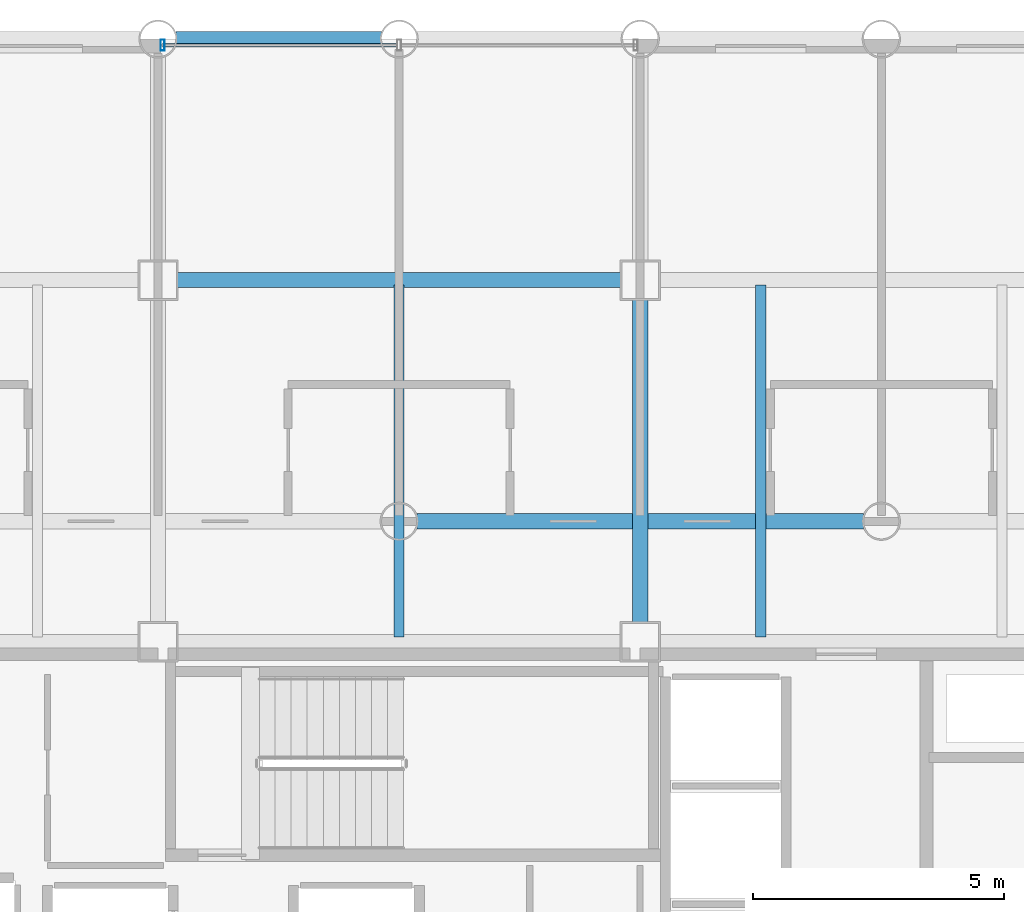
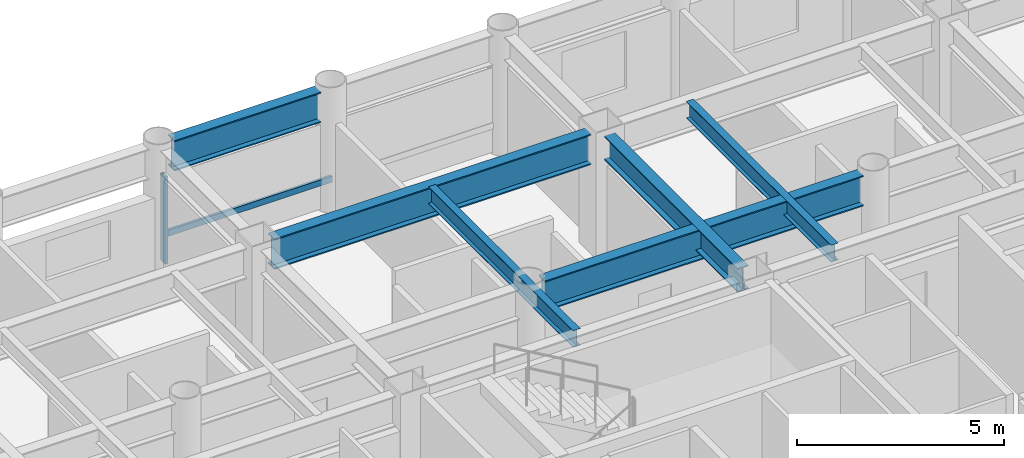
# One storey, part 11 of 22: 6 beams, 2 members, 1 element without a shape of its own.
"""IFC4 building model written with IfcOpenShell, lengths in metres."""

import ifcopenshell
import ifcopenshell.guid

model = None  # the IFC model being written
_history = None  # IfcOwnerHistory: only IFC2X3 demands one
_inside = {}  # id of a spatial element -> (the spatial element, [elements in it])
_under = {}  # id of a project, library or spatial element -> (it, [spatial elements below it])
_declared = {}  # id of a project -> (the project, [libraries it declares])
_typed = {}  # id of a type object -> (the type object, [elements of that type])
_made_of = {}  # id of a material, layer set ... -> (it, [elements and type objects made of it])


def new_model(schema):
    """Start an empty IFC model of exactly this schema.

    Asked for "IFC4X3", IfcOpenShell would pick the latest addendum, in which some entities
    have other attributes; the version numbers below select the first issue.
    IFC2X3 requires an IfcOwnerHistory on every rooted entity: one is made here for all.
    """
    global model, _history
    if schema == "IFC4X3":
        model = ifcopenshell.file(schema_version=(4, 3, 0, 0))
    else:
        model = ifcopenshell.file(schema=schema)
    _inside.clear()
    _under.clear()
    _declared.clear()
    _typed.clear()
    _made_of.clear()
    _history = None
    if model.schema == "IFC2X3":
        org = make("IfcOrganization", Name="unknown")
        user = make(
            "IfcPersonAndOrganization",
            ThePerson=make("IfcPerson", FamilyName="unknown"),
            TheOrganization=org,
        )
        app = make(
            "IfcApplication",
            ApplicationDeveloper=org,
            Version="unknown",
            ApplicationFullName="unknown",
            ApplicationIdentifier="unknown",
        )
        _history = make(
            "IfcOwnerHistory",
            OwningUser=user,
            OwningApplication=app,
            ChangeAction="ADDED",
            CreationDate=0,
        )
    return model


def make(cls, **values):
    """One entity of the class cls with the attributes given. An attribute that is None is left unset."""
    return model.create_entity(
        cls, **{name: value for name, value in values.items() if value is not None}
    )


def rooted(cls, **values):
    """An entity with a GlobalId (a new one), such as an element, a storey or a relation."""
    return make(cls, GlobalId=ifcopenshell.guid.new(), OwnerHistory=_history, **values)


def si_unit(unit_type, name, prefix=None):
    """IfcSIUnit, for example si_unit("LENGTHUNIT", "METRE", prefix="MILLI")."""
    return make("IfcSIUnit", UnitType=unit_type, Prefix=prefix, Name=name)


def assignment(units):
    """IfcUnitAssignment: the units of a project."""
    return None if units is None else make("IfcUnitAssignment", Units=units)


def point(xyz):
    """IfcCartesianPoint."""
    return None if xyz is None else make("IfcCartesianPoint", Coordinates=xyz)


def direction(xyz):
    """IfcDirection."""
    return None if xyz is None else make("IfcDirection", DirectionRatios=xyz)


def frame(location, z_axis=None, x_axis=None):
    """IfcAxis2Placement3D, a coordinate frame: its origin and axes. An axis left out is left unset."""
    return make(
        "IfcAxis2Placement3D",
        Location=point(location),
        Axis=direction(z_axis),
        RefDirection=direction(x_axis),
    )


def frame_2d(location, x_axis=None):
    """IfcAxis2Placement2D, a coordinate frame in the plane: its origin and x axis."""
    return make(
        "IfcAxis2Placement2D", Location=point(location), RefDirection=direction(x_axis)
    )


def origin():
    """The frame at (0, 0, 0) with its axes left unset."""
    return frame((0.0, 0.0, 0.0))


def origin_2d():
    """The frame at (0, 0) in the plane with its x axis left unset."""
    return frame_2d((0.0, 0.0))


def place(relative_to, where):
    """IfcLocalPlacement: puts the frame where relative to a parent placement (None: the world)."""
    return make(
        "IfcLocalPlacement", PlacementRelTo=relative_to, RelativePlacement=where
    )


def context(
    kind, dimensions, precision=None, world=None, true_north=None, identifier=None
):
    """IfcGeometricRepresentationContext, for example the 3D "Model" context."""
    return make(
        "IfcGeometricRepresentationContext",
        ContextIdentifier=identifier,
        ContextType=kind,
        CoordinateSpaceDimension=dimensions,
        Precision=precision,
        WorldCoordinateSystem=world,
        TrueNorth=true_north,
    )


def subcontext(parent, identifier, kind, view, scale=None):
    """IfcGeometricRepresentationSubContext, for example "Body" below "Model"."""
    return make(
        "IfcGeometricRepresentationSubContext",
        ContextIdentifier=identifier,
        ContextType=kind,
        ParentContext=parent,
        TargetScale=scale,
        TargetView=view,
    )


def project(units=None, contexts=None):
    """IfcProject with its units and contexts."""
    return rooted(
        "IfcProject",
        Name="project",
        RepresentationContexts=contexts,
        UnitsInContext=assignment(units),
    )


def spatial(cls, under=None, at=None, **own):
    """A site, building, storey or space (cls), placed at a placement, below another one or the project."""
    s = rooted(cls, ObjectPlacement=at, **own)
    if under is not None:
        _under.setdefault(under.id(), (under, []))[1].append(s)
    return s


def profile(cls, at=None, kind="AREA", **sizes):
    """A parametric profile (cls). Its sizes go by their IFC names, for example OverallWidth=200.0."""
    return make(cls, ProfileType=kind, Position=at, **sizes)


def hollow_rectangle(**sizes):
    """IfcRectangleHollowProfileDef."""
    return profile("IfcRectangleHollowProfileDef", **sizes)


def i_section(**sizes):
    """IfcIShapeProfileDef."""
    return profile("IfcIShapeProfileDef", **sizes)


def extrude(swept, where, along, depth):
    """IfcExtrudedAreaSolid: the profile swept, set in the frame where, extruded along a direction by depth."""
    return make(
        "IfcExtrudedAreaSolid",
        SweptArea=swept,
        Position=where,
        ExtrudedDirection=direction(along),
        Depth=depth,
    )


def shape(context_of_items, identifier, shape_type, items):
    """IfcShapeRepresentation: the items that make up one representation, for example the "Body"."""
    return make(
        "IfcShapeRepresentation",
        ContextOfItems=context_of_items,
        RepresentationIdentifier=identifier,
        RepresentationType=shape_type,
        Items=items,
    )


def material(Name=None, Category=None):
    """IfcMaterial."""
    return make("IfcMaterial", Name=Name, Category=Category)


def layer(
    of_material, thickness, ventilated=None, Name=None, Category=None, Priority=None
):
    """IfcMaterialLayer: one layer of a wall or slab, of a material (None: an air gap)."""
    return make(
        "IfcMaterialLayer",
        Material=of_material,
        LayerThickness=thickness,
        IsVentilated=ventilated,
        Name=Name,
        Category=Category,
        Priority=Priority,
    )


def layer_set(layers, Name=None):
    """IfcMaterialLayerSet."""
    return make("IfcMaterialLayerSet", MaterialLayers=layers, LayerSetName=Name)


def material_profile(
    of_material, cross_section, Name=None, Category=None, Priority=None
):
    """IfcMaterialProfile: a cross section and its material."""
    return make(
        "IfcMaterialProfile",
        Name=Name,
        Material=of_material,
        Profile=cross_section,
        Priority=Priority,
        Category=Category,
    )


def profile_set(profiles, Name=None, composite=None):
    """IfcMaterialProfileSet."""
    return make(
        "IfcMaterialProfileSet",
        Name=Name,
        MaterialProfiles=profiles,
        CompositeProfile=composite,
    )


def made_of(thing, what):
    """Note that an element or type object is made of a material, layer set ...; save() writes the relation."""
    if what is not None:
        _made_of.setdefault(what.id(), (what, []))[1].append(thing)
    return thing


def type_object(cls, material=None, **own):
    """A type object (cls), such as IfcWallType, which elements share."""
    return made_of(rooted(cls, **own), material)


def element(
    cls,
    number,
    at=None,
    inside=None,
    cuts=None,
    type_object=None,
    material=None,
    context=None,
    identifier="Body",
    shape_type=None,
    held_by="IfcProductDefinitionShape",
    body=None,
    shapes=None,
    **own,
):
    """One element of the class cls, such as IfcWall. Its Tag is "e" and its number.

    at: its placement. inside: the storey or other place that contains it. cuts: it is an
    opening in that element (IfcRelVoidsElement). A single representation is given by context,
    identifier, shape_type and body (its items); several are given by shapes. held_by: the class
    of the entity that holds the representations. save() writes the other relations.
    """
    e = rooted(cls, Tag="e%d" % number, ObjectPlacement=at, **own)
    if body is not None:
        shapes = [shape(context, identifier, shape_type, body)]
    if shapes is not None:
        e.Representation = make(held_by, Representations=shapes)
    if inside is not None:
        _inside.setdefault(inside.id(), (inside, []))[1].append(e)
    if cuts is not None:
        rooted(
            "IfcRelVoidsElement", RelatingBuildingElement=cuts, RelatedOpeningElement=e
        )
    if type_object is not None:
        _typed.setdefault(type_object.id(), (type_object, []))[1].append(e)
    return made_of(e, material)


def aggregate(whole, parts):
    """IfcRelAggregates: a whole, such as a stair, and the parts it consists of."""
    return rooted("IfcRelAggregates", RelatingObject=whole, RelatedObjects=parts)


def save(model, path):
    """Write the relations noted so far, then the file.

    IfcRelAggregates (storeys below a building ...), IfcRelContainedInSpatialStructure (elements
    in a storey), IfcRelDefinesByType, IfcRelAssociatesMaterial and IfcRelDeclares: one each for
    every whole, place, type object, material and project.
    """
    for whole, parts in _under.values():
        aggregate(whole, parts)
    for where, things in _inside.values():
        rooted(
            "IfcRelContainedInSpatialStructure",
            RelatedElements=things,
            RelatingStructure=where,
        )
    for kind, things in _typed.values():
        rooted("IfcRelDefinesByType", RelatedObjects=things, RelatingType=kind)
    for what, things in _made_of.values():
        rooted("IfcRelAssociatesMaterial", RelatedObjects=things, RelatingMaterial=what)
    for by, libraries in _declared.values():
        rooted("IfcRelDeclares", RelatingContext=by, RelatedDefinitions=libraries)
    model.write(path)


model = new_model("IFC4")

# Units and contexts
model_context = context("Model", 3, precision=1e-05, world=origin(), true_north=direction((0.0, 1.0)))
body_context = subcontext(model_context, "Body", "Model", "MODEL_VIEW")
ifc_project = project(units=[si_unit("LENGTHUNIT", "METRE"), si_unit("AREAUNIT", "SQUARE_METRE"), si_unit("VOLUMEUNIT", "CUBIC_METRE"), si_unit("PLANEANGLEUNIT", "RADIAN"), si_unit("MASSUNIT", "GRAM", prefix="KILO")], contexts=[model_context])

# Site, building, storey
site_placement = place(None, origin())
site = spatial("IfcSite", under=ifc_project, at=site_placement, CompositionType="ELEMENT")
building_placement = place(site_placement, origin())
building = spatial("IfcBuilding", under=site, at=building_placement, Name="Kallvorn Hotel Tower", CompositionType="ELEMENT")
storey_placement = place(building_placement, frame((0.0, 0.0, 37.39990234375)))
storey = spatial("IfcBuildingStorey", under=building, at=storey_placement, Name="L07", CompositionType="ELEMENT", Elevation=37.39990234375)

# Beams
ifc_material_1 = material(Name="Structural steel S355JR", Category="steel")
ifc_material_profile_1 = material_profile(ifc_material_1, i_section(OverallWidth=0.300048828125, OverallDepth=0.699951171875, WebThickness=0.01708984375, FlangeThickness=0.031982421875, at=origin_2d()), Name="HE 700 B")
ifc_profile_set_1 = profile_set([ifc_material_profile_1], Name="Structural steel S355JR")
beam_type_1 = type_object("IfcBeamType", Name="BM_HE700B", PredefinedType="BEAM", material=ifc_profile_set_1)
beam_1_placement = place(storey_placement, frame((4.800048828125, 7.574951171875, 3.170166015625), z_axis=(0.0, 1.0, 0.0), x_axis=(-1.0, 0.0, 0.0)))
element("IfcBeam", 1, at=beam_1_placement, inside=storey, type_object=beam_type_1, Name="L08 Primary Y-Girder 117", PredefinedType="BEAM", context=body_context, shape_type="SweptSolid", body=[
    extrude(i_section(OverallWidth=0.300048828125, OverallDepth=0.699951171875, WebThickness=0.01708984375, FlangeThickness=0.031982421875, at=origin_2d()), origin(), (0.0, 0.0, 1.0), 6.449951171875),
])
ifc_material_2 = material(Name="Structural steel S355JR", Category="steel")
ifc_material_profile_2 = material_profile(ifc_material_2, i_section(OverallWidth=0.300048828125, OverallDepth=0.89990234375, WebThickness=0.0185546875, FlangeThickness=0.034912109375, at=origin_2d()), Name="HE 900 B")
ifc_profile_set_2 = profile_set([ifc_material_profile_2], Name="Structural steel S355JR")
beam_type_2 = type_object("IfcBeamType", Name="BM_HE900B", PredefinedType="BEAM", material=ifc_profile_set_2)
beam_2_placement = place(storey_placement, frame((0.35595703125, 9.60009765625, 3.070068359375), z_axis=(1.0, 0.0, 0.0), x_axis=(0.0, 1.0, 0.0)))
element("IfcBeam", 2, at=beam_2_placement, inside=storey, type_object=beam_type_2, Name="L08 Primary X-Girder 47", PredefinedType="BEAM", context=body_context, shape_type="SweptSolid", body=[
    extrude(i_section(OverallWidth=0.300048828125, OverallDepth=0.89990234375, WebThickness=0.0185546875, FlangeThickness=0.034912109375, at=origin_2d()), origin(), (0.0, 0.0, 1.0), 8.887939453125),
])
beam_3_placement = place(storey_placement, frame((-4.425048828125, 14.39990234375, 3.070068359375), z_axis=(1.0, 0.0, 0.0), x_axis=(0.0, 1.0, 0.0)))
element("IfcBeam", 3, at=beam_3_placement, inside=storey, type_object=beam_type_2, Name="L08 Primary X-Girder 56", PredefinedType="BEAM", context=body_context, shape_type="SweptSolid", body=[
    extrude(i_section(OverallWidth=0.300048828125, OverallDepth=0.89990234375, WebThickness=0.0185546875, FlangeThickness=0.034912109375, at=origin_2d()), origin(), (0.0, 0.0, 1.0), 8.85009765625),
])
beam_4_placement = place(storey_placement, frame((-4.444091796875, 19.199951171875, 3.070068359375), z_axis=(1.0, 0.0, 0.0), x_axis=(0.0, 1.0, 0.0)))
element("IfcBeam", 4, at=beam_4_placement, inside=storey, type_object=beam_type_2, Name="L08 Primary X-Girder 66", PredefinedType="BEAM", context=body_context, shape_type="SweptSolid", body=[
    extrude(i_section(OverallWidth=0.300048828125, OverallDepth=0.89990234375, WebThickness=0.0185546875, FlangeThickness=0.034912109375, at=origin_2d()), origin(), (0.0, 0.0, 1.0), 4.088134765625),
])
ifc_material_3 = material(Name="Structural steel S355JR", Category="steel")
ifc_material_profile_3 = material_profile(ifc_material_3, i_section(OverallWidth=0.199951171875, OverallDepth=0.5, WebThickness=0.01025390625, FlangeThickness=0.01611328125, at=origin_2d()), Name="IPE 500")
ifc_profile_set_3 = profile_set([ifc_material_profile_3], Name="Structural steel S355JR")
beam_type_3 = type_object("IfcBeamType", Name="BM_IPE500", PredefinedType="JOIST", material=ifc_profile_set_3)
for number, where, z_axis, x_axis, name in (
    (5, (0.0, 7.300048828125, 3.27001953125), (0.0, 1.0, 0.0), (-1.0, 0.0, 0.0), "L08 Secondary Composite Joist 201"),
    (6, (7.199951171875, 7.300048828125, 3.27001953125), (0.0, 1.0, 0.0), (-1.0, 0.0, 0.0), "L08 Secondary Composite Joist 203"),
):
    element("IfcBeam", number, at=place(storey_placement, frame(where, z_axis=z_axis, x_axis=x_axis)), inside=storey, type_object=beam_type_3, Name=name, PredefinedType="JOIST", context=body_context, shape_type="SweptSolid", body=[
        extrude(i_section(OverallWidth=0.199951171875, OverallDepth=0.5, WebThickness=0.01025390625, FlangeThickness=0.01611328125, at=origin_2d()), origin(), (0.0, 0.0, 1.0), 7.0),
    ])

# Curtain wall, members
ifc_material_4 = material(Name="Thermally broken black-anodised aluminium AA 6063-T6", Category="aluminium")
ifc_layer = layer(ifc_material_4, 0.199951171875)
ifc_layer_set = layer_set([ifc_layer], Name="CW_SYS_3_HOTEL_LOW")
curtain_wall_type = type_object("IfcCurtainWallType", Name="CW_SYS_3_HOTEL_LOW", PredefinedType="USERDEFINED", material=ifc_layer_set)
curtain_wall_placement = place(storey_placement, origin())
curtain_wall = element("IfcCurtainWall", 7, at=curtain_wall_placement, inside=storey, type_object=curtain_wall_type, Name="L07 Dark-Glass Curtain Wall CW-L07-NC", ObjectType="UNITISED CURTAIN WALL", PredefinedType="USERDEFINED")
ifc_material_5 = material(Name="Thermally broken black-anodised aluminium AA 6063-T6", Category="aluminium")
ifc_material_profile_4 = material_profile(ifc_material_5, hollow_rectangle(XDim=0.080078125, YDim=0.219970703125, WallThickness=0.0048828125, at=origin_2d()), Name="MUL 220x80")
ifc_profile_set_4 = profile_set([ifc_material_profile_4], Name="Thermally broken black-anodised aluminium AA 6063-T6")
member_type_1 = type_object("IfcMemberType", Name="CW_MULLION_220x80", PredefinedType="MULLION", material=ifc_profile_set_4)
member_1_placement = place(storey_placement, frame((-4.7099609375, 19.080078125, 0.02001953125), z_axis=(0.0, 0.0, 1.0), x_axis=(1.0, 0.0, 0.0)))
member_1 = element("IfcMember", 8, at=member_1_placement, type_object=member_type_1, Name="CW-L07-NC Mullion 00", PredefinedType="MULLION", context=body_context, shape_type="SweptSolid", body=[
    extrude(hollow_rectangle(XDim=0.080078125, YDim=0.219970703125, WallThickness=0.0048828125, at=origin_2d()), origin(), (0.0, 0.0, 1.0), 2.580078125),
])
ifc_material_6 = material(Name="Thermally broken black-anodised aluminium AA 6063-T6", Category="aluminium")
ifc_material_profile_5 = material_profile(ifc_material_6, hollow_rectangle(XDim=0.070068359375, YDim=0.179931640625, WallThickness=0.00390625, at=origin_2d()), Name="TRN 180x70")
ifc_profile_set_5 = profile_set([ifc_material_profile_5], Name="Thermally broken black-anodised aluminium AA 6063-T6")
member_type_2 = type_object("IfcMemberType", Name="CW_TRANSOM_180x70", PredefinedType="USERDEFINED", material=ifc_profile_set_5)
member_2_placement = place(storey_placement, frame((-4.7099609375, 19.080078125, 0.85009765625), z_axis=(1.0, 0.0, 0.0), x_axis=(0.0, 1.0, 0.0)))
member_2 = element("IfcMember", 9, at=member_2_placement, type_object=member_type_2, Name="CW-L07-NC Transom 00M", ObjectType="TRANSOM", PredefinedType="USERDEFINED", context=body_context, shape_type="SweptSolid", body=[
    extrude(hollow_rectangle(XDim=0.070068359375, YDim=0.179931640625, WallThickness=0.00390625, at=origin_2d()), origin(), (0.0, 0.0, 1.0), 4.669921875),
])
aggregate(curtain_wall, [member_1, member_2])

save(model, "model.ifc")
